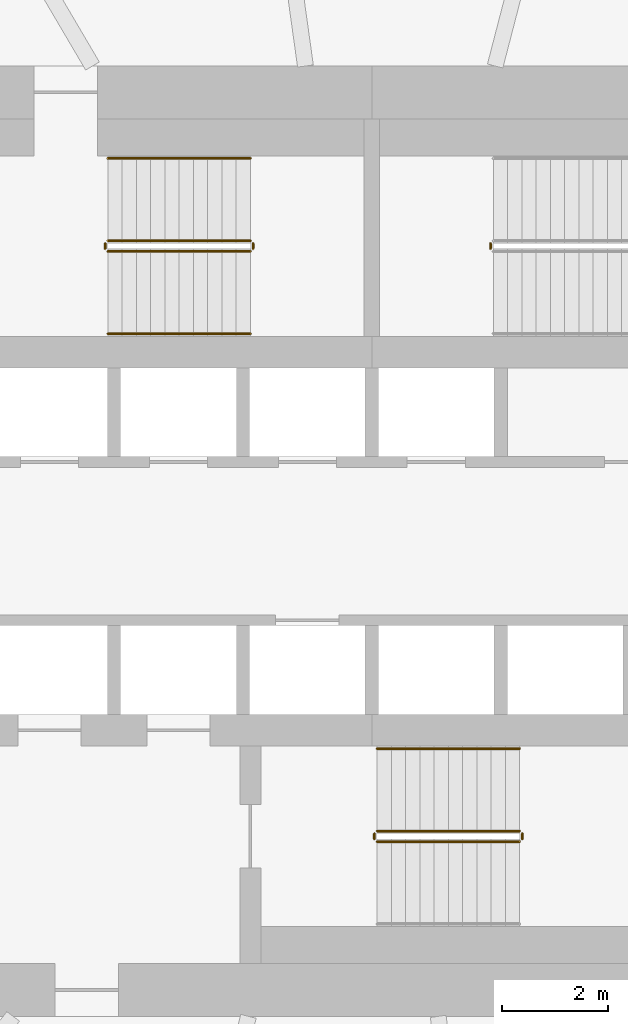
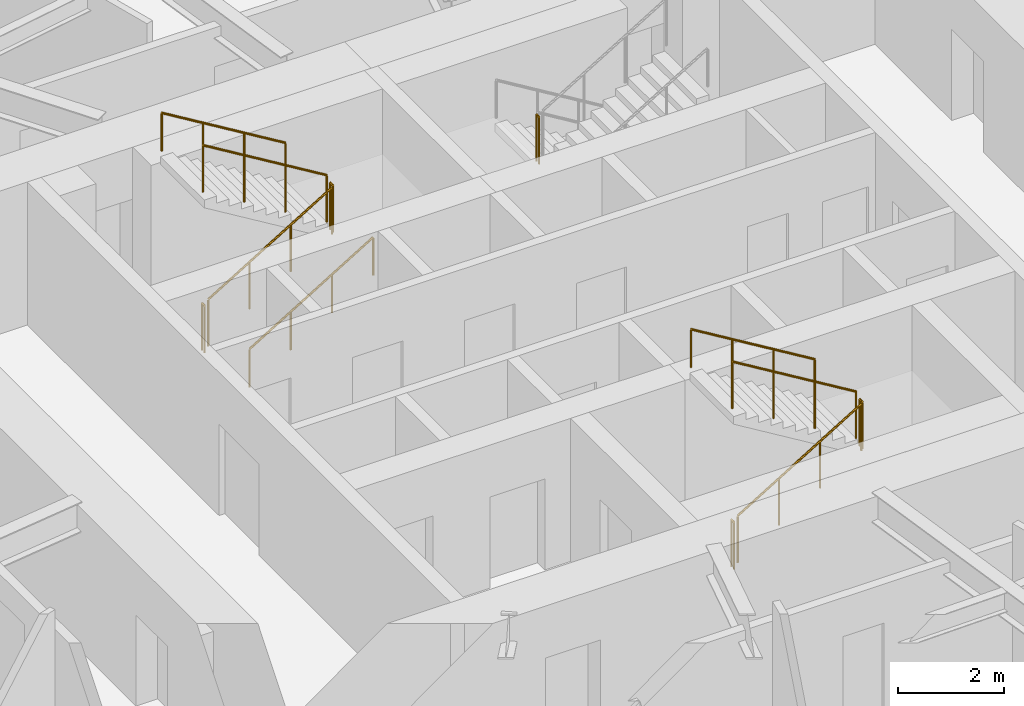
# One storey, part 12 of 15: 12 railings.
"""IFC4 building model written with IfcOpenShell, lengths in metres."""

from ifc_helpers import new_model, si_unit, direction, frame, origin, origin_2d, place, context, subcontext, project, spatial, circle, extrude, material, type_object, element, save


model = new_model("IFC4")

# Units and contexts
model_context = context("Model", 3, precision=1e-05, world=origin(), true_north=direction((0.0, 1.0)))
body_context = subcontext(model_context, "Body", "Model", "MODEL_VIEW")
ifc_project = project(units=[si_unit("LENGTHUNIT", "METRE"), si_unit("AREAUNIT", "SQUARE_METRE"), si_unit("VOLUMEUNIT", "CUBIC_METRE"), si_unit("PLANEANGLEUNIT", "RADIAN"), si_unit("MASSUNIT", "GRAM", prefix="KILO")], contexts=[model_context])

# Site, building, storey
site_placement = place(None, origin())
site = spatial("IfcSite", under=ifc_project, at=site_placement, CompositionType="ELEMENT")
building_placement = place(site_placement, origin())
building = spatial("IfcBuilding", under=site, at=building_placement, Name="Vermilion Reach Broadcast Tower", CompositionType="ELEMENT")
storey_placement = place(building_placement, frame((0.0, 0.0, 128.199951171875)))
storey = spatial("IfcBuildingStorey", under=building, at=storey_placement, Name="L30", CompositionType="ELEMENT", Elevation=128.199951171875)

# Railings
ifc_material_1 = material(Name="Stainless steel", Category="steel")
railing_type_1 = type_object("IfcRailingType", Name="Stair guard 1100", PredefinedType="GUARDRAIL", material=ifc_material_1)
railing_1_placement = place(storey_placement, frame((-11.0, 5.489990234375, 0.16357421875)))
element("IfcRailing", 1, at=railing_1_placement, inside=storey, type_object=railing_type_1, Name="L30 ST1 stair guard 1", PredefinedType="GUARDRAIL", context=body_context, shape_type="SweptSolid", body=[
    extrude(circle(Radius=0.02392578125, at=origin_2d()), frame((0.0, 0.0, 1.076171875), z_axis=(0.855178096276, 0.0, 0.518334277904), x_axis=(0.0, 1.0, 0.0)), (0.0, 0.0, 1.0), 3.1572265625),
    extrude(circle(Radius=0.02099609375, at=origin_2d()), origin(), (0.0, 0.0, 1.0), 1.052001953125),
    extrude(circle(Radius=0.02099609375, at=origin_2d()), frame((0.89990234375, 0.0, 0.54541015625)), (0.0, 0.0, 1.0), 1.052001953125),
    extrude(circle(Radius=0.02099609375, at=origin_2d()), frame((1.800048828125, 0.0, 1.091064453125)), (0.0, 0.0, 1.0), 1.052001953125),
    extrude(circle(Radius=0.02099609375, at=origin_2d()), frame((2.699951171875, 0.0, 1.636474609375)), (0.0, 0.0, 1.0), 1.052001953125),
])
railing_2_placement = place(storey_placement, frame((-8.25, 5.5400390625, 1.800048828125)))
element("IfcRailing", 2, at=railing_2_placement, inside=storey, type_object=railing_type_1, Name="L30 ST1 stair guard 2", PredefinedType="GUARDRAIL", context=body_context, shape_type="SweptSolid", body=[
    extrude(circle(Radius=0.02392578125, at=origin_2d()), frame((0.0, 0.0, 1.076171875), z_axis=(0.0, 1.0, 0.0), x_axis=(-1.0, 0.0, 0.0)), (0.0, 0.0, 1.0), 0.099853515625),
    extrude(circle(Radius=0.02099609375, at=origin_2d()), origin(), (0.0, 0.0, 1.0), 1.052001953125),
    extrude(circle(Radius=0.02099609375, at=origin_2d()), frame((0.0, 0.099853515625, 0.0)), (0.0, 0.0, 1.0), 1.052001953125),
])
railing_3_placement = place(storey_placement, frame((-8.300048828125, 5.68994140625, 1.963623046875)))
element("IfcRailing", 3, at=railing_3_placement, inside=storey, type_object=railing_type_1, Name="L30 ST1 stair guard 3", PredefinedType="GUARDRAIL", context=body_context, shape_type="SweptSolid", body=[
    extrude(circle(Radius=0.02392578125, at=origin_2d()), frame((0.0, 0.0, 1.076171875), z_axis=(-0.855178096276, 0.0, 0.518334277904), x_axis=(0.0, -1.0, 0.0)), (0.0, 0.0, 1.0), 3.1572265625),
    extrude(circle(Radius=0.02099609375, at=origin_2d()), origin(), (0.0, 0.0, 1.0), 1.052001953125),
    extrude(circle(Radius=0.02099609375, at=origin_2d()), frame((-0.89990234375, 0.0, 0.54541015625)), (0.0, 0.0, 1.0), 1.052001953125),
    extrude(circle(Radius=0.02099609375, at=origin_2d()), frame((-1.800048828125, 0.0, 1.091064453125)), (0.0, 0.0, 1.0), 1.052001953125),
    extrude(circle(Radius=0.02099609375, at=origin_2d()), frame((-2.699951171875, 0.0, 1.636474609375)), (0.0, 0.0, 1.0), 1.052001953125),
])
railing_4_placement = place(storey_placement, frame((-11.050048828125, 5.5400390625, 0.0)))
element("IfcRailing", 4, at=railing_4_placement, inside=storey, type_object=railing_type_1, Name="L30 ST1 stair guard 4", PredefinedType="GUARDRAIL", context=body_context, shape_type="SweptSolid", body=[
    extrude(circle(Radius=0.02392578125, at=origin_2d()), frame((0.0, 0.0, 1.076171875), z_axis=(0.0, 1.0, 0.0), x_axis=(-1.0, 0.0, 0.0)), (0.0, 0.0, 1.0), 0.099853515625),
    extrude(circle(Radius=0.02099609375, at=origin_2d()), origin(), (0.0, 0.0, 1.0), 1.052001953125),
    extrude(circle(Radius=0.02099609375, at=origin_2d()), frame((0.0, 0.099853515625, 0.0)), (0.0, 0.0, 1.0), 1.052001953125),
])
railing_5_placement = place(storey_placement, frame((-3.75, 5.639892578125, 1.800048828125)))
element("IfcRailing", 5, at=railing_5_placement, inside=storey, type_object=railing_type_1, Name="L30 ST2 stair guard 2", PredefinedType="GUARDRAIL", context=body_context, shape_type="SweptSolid", body=[
    extrude(circle(Radius=0.02392578125, at=origin_2d()), frame((0.0, 0.0, 1.076171875), z_axis=(0.0, -1.0, 0.0), x_axis=(1.0, 0.0, 0.0)), (0.0, 0.0, 1.0), 0.099853515625),
    extrude(circle(Radius=0.02099609375, at=origin_2d()), origin(), (0.0, 0.0, 1.0), 1.052001953125),
    extrude(circle(Radius=0.02099609375, at=origin_2d()), frame((0.0, -0.099853515625, 0.0)), (0.0, 0.0, 1.0), 1.052001953125),
])
railing_6_placement = place(storey_placement, frame((-5.89990234375, -5.68994140625, 0.16357421875)))
element("IfcRailing", 6, at=railing_6_placement, inside=storey, type_object=railing_type_1, Name="L30 ST3 stair guard 1", PredefinedType="GUARDRAIL", context=body_context, shape_type="SweptSolid", body=[
    extrude(circle(Radius=0.02392578125, at=origin_2d()), frame((0.0, 0.0, 1.076171875), z_axis=(0.855178096276, 0.0, 0.518334277904), x_axis=(0.0, 1.0, 0.0)), (0.0, 0.0, 1.0), 3.1572265625),
    extrude(circle(Radius=0.02099609375, at=origin_2d()), origin(), (0.0, 0.0, 1.0), 1.052001953125),
    extrude(circle(Radius=0.02099609375, at=origin_2d()), frame((0.89990234375, 0.0, 0.54541015625)), (0.0, 0.0, 1.0), 1.052001953125),
    extrude(circle(Radius=0.02099609375, at=origin_2d()), frame((1.800048828125, 0.0, 1.091064453125)), (0.0, 0.0, 1.0), 1.052001953125),
    extrude(circle(Radius=0.02099609375, at=origin_2d()), frame((2.699951171875, 0.0, 1.636474609375)), (0.0, 0.0, 1.0), 1.052001953125),
])
railing_7_placement = place(storey_placement, frame((-3.14990234375, -5.639892578125, 1.800048828125)))
element("IfcRailing", 7, at=railing_7_placement, inside=storey, type_object=railing_type_1, Name="L30 ST3 stair guard 2", PredefinedType="GUARDRAIL", context=body_context, shape_type="SweptSolid", body=[
    extrude(circle(Radius=0.02392578125, at=origin_2d()), frame((0.0, 0.0, 1.076171875), z_axis=(0.0, 1.0, 0.0), x_axis=(-1.0, 0.0, 0.0)), (0.0, 0.0, 1.0), 0.099853515625),
    extrude(circle(Radius=0.02099609375, at=origin_2d()), origin(), (0.0, 0.0, 1.0), 1.052001953125),
    extrude(circle(Radius=0.02099609375, at=origin_2d()), frame((0.0, 0.099853515625, 0.0)), (0.0, 0.0, 1.0), 1.052001953125),
])
railing_8_placement = place(storey_placement, frame((-3.199951171875, -5.489990234375, 1.963623046875)))
element("IfcRailing", 8, at=railing_8_placement, inside=storey, type_object=railing_type_1, Name="L30 ST3 stair guard 3", PredefinedType="GUARDRAIL", context=body_context, shape_type="SweptSolid", body=[
    extrude(circle(Radius=0.02392578125, at=origin_2d()), frame((0.0, 0.0, 1.076171875), z_axis=(-0.855178096276, 0.0, 0.518334277904), x_axis=(0.0, -1.0, 0.0)), (0.0, 0.0, 1.0), 3.1572265625),
    extrude(circle(Radius=0.02099609375, at=origin_2d()), origin(), (0.0, 0.0, 1.0), 1.052001953125),
    extrude(circle(Radius=0.02099609375, at=origin_2d()), frame((-0.89990234375, 0.0, 0.54541015625)), (0.0, 0.0, 1.0), 1.052001953125),
    extrude(circle(Radius=0.02099609375, at=origin_2d()), frame((-1.800048828125, 0.0, 1.091064453125)), (0.0, 0.0, 1.0), 1.052001953125),
    extrude(circle(Radius=0.02099609375, at=origin_2d()), frame((-2.699951171875, 0.0, 1.636474609375)), (0.0, 0.0, 1.0), 1.052001953125),
])
railing_9_placement = place(storey_placement, frame((-5.949951171875, -5.639892578125, 0.0)))
element("IfcRailing", 9, at=railing_9_placement, inside=storey, type_object=railing_type_1, Name="L30 ST3 stair guard 4", PredefinedType="GUARDRAIL", context=body_context, shape_type="SweptSolid", body=[
    extrude(circle(Radius=0.02392578125, at=origin_2d()), frame((0.0, 0.0, 1.076171875), z_axis=(0.0, 1.0, 0.0), x_axis=(-1.0, 0.0, 0.0)), (0.0, 0.0, 1.0), 0.099853515625),
    extrude(circle(Radius=0.02099609375, at=origin_2d()), origin(), (0.0, 0.0, 1.0), 1.052001953125),
    extrude(circle(Radius=0.02099609375, at=origin_2d()), frame((0.0, 0.099853515625, 0.0)), (0.0, 0.0, 1.0), 1.052001953125),
])
ifc_material_2 = material(Name="Stainless steel", Category="steel")
railing_type_2 = type_object("IfcRailingType", Name="Stair handrail", PredefinedType="HANDRAIL", material=ifc_material_2)
railing_10_placement = place(storey_placement, frame((-11.0, 3.929931640625, 0.16357421875)))
element("IfcRailing", 10, at=railing_10_placement, inside=storey, type_object=railing_type_2, Name="L30 ST1 stair handrail 1", PredefinedType="HANDRAIL", context=body_context, shape_type="SweptSolid", body=[
    extrude(circle(Radius=0.02392578125, at=origin_2d()), frame((0.0, 0.0, 0.8759765625), z_axis=(0.855178096276, 0.0, 0.518334277904), x_axis=(0.0, 1.0, 0.0)), (0.0, 0.0, 1.0), 3.1572265625),
    extrude(circle(Radius=0.02099609375, at=origin_2d()), origin(), (0.0, 0.0, 1.0), 0.851806640625),
    extrude(circle(Radius=0.02099609375, at=origin_2d()), frame((0.89990234375, 0.0, 0.54541015625)), (0.0, 0.0, 1.0), 0.851806640625),
    extrude(circle(Radius=0.02099609375, at=origin_2d()), frame((1.800048828125, 0.0, 1.091064453125)), (0.0, 0.0, 1.0), 0.851806640625),
    extrude(circle(Radius=0.02099609375, at=origin_2d()), frame((2.699951171875, 0.0, 1.636474609375)), (0.0, 0.0, 1.0), 0.851806640625),
])
for number, where, name in (
    (11, (-8.300048828125, 7.25, 1.963623046875), "L30 ST1 stair handrail 2"),
    (12, (-3.199951171875, -3.929931640625, 1.963623046875), "L30 ST3 stair handrail 2"),
):
    element("IfcRailing", number, at=place(storey_placement, frame(where)), inside=storey, type_object=railing_type_2, Name=name, PredefinedType="HANDRAIL", context=body_context, shape_type="SweptSolid", body=[
        extrude(circle(Radius=0.02392578125, at=origin_2d()), frame((0.0, 0.0, 0.8759765625), z_axis=(-0.855178096276, 0.0, 0.518334277904), x_axis=(0.0, -1.0, 0.0)), (0.0, 0.0, 1.0), 3.1572265625),
        extrude(circle(Radius=0.02099609375, at=origin_2d()), origin(), (0.0, 0.0, 1.0), 0.851806640625),
        extrude(circle(Radius=0.02099609375, at=origin_2d()), frame((-0.89990234375, 0.0, 0.54541015625)), (0.0, 0.0, 1.0), 0.851806640625),
        extrude(circle(Radius=0.02099609375, at=origin_2d()), frame((-1.800048828125, 0.0, 1.091064453125)), (0.0, 0.0, 1.0), 0.851806640625),
        extrude(circle(Radius=0.02099609375, at=origin_2d()), frame((-2.699951171875, 0.0, 1.636474609375)), (0.0, 0.0, 1.0), 0.851806640625),
    ])

save(model, "model.ifc")
